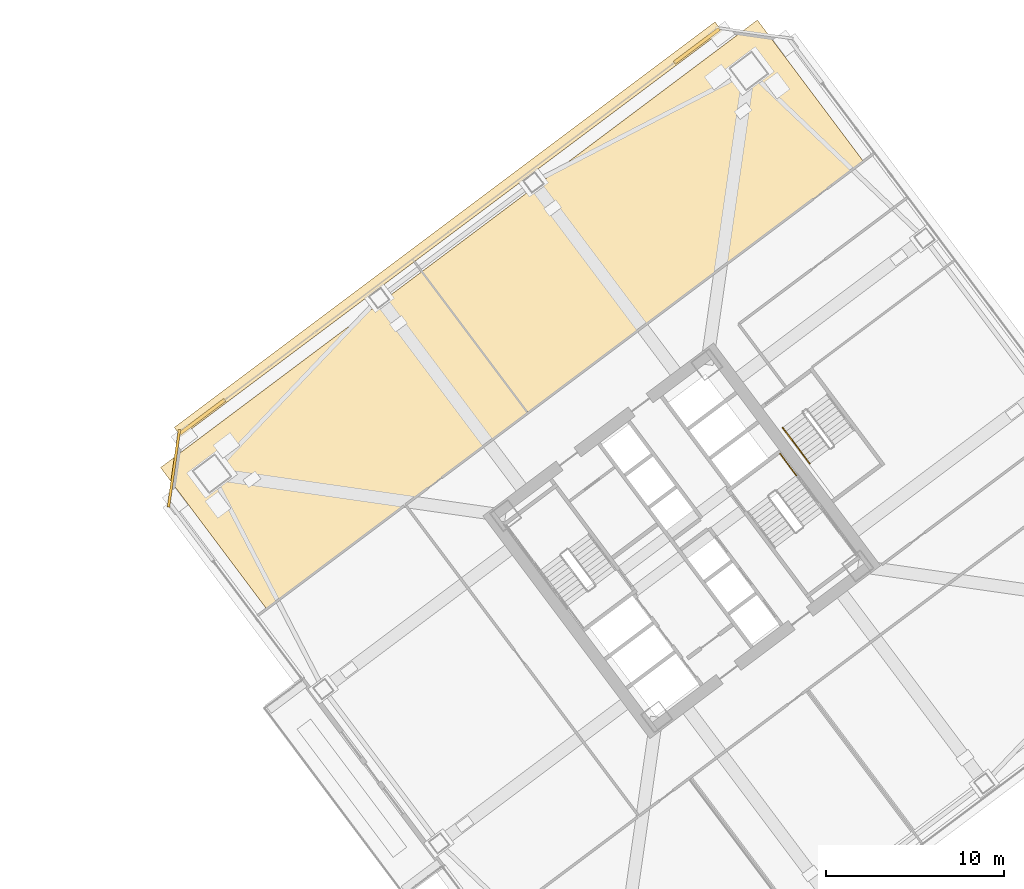
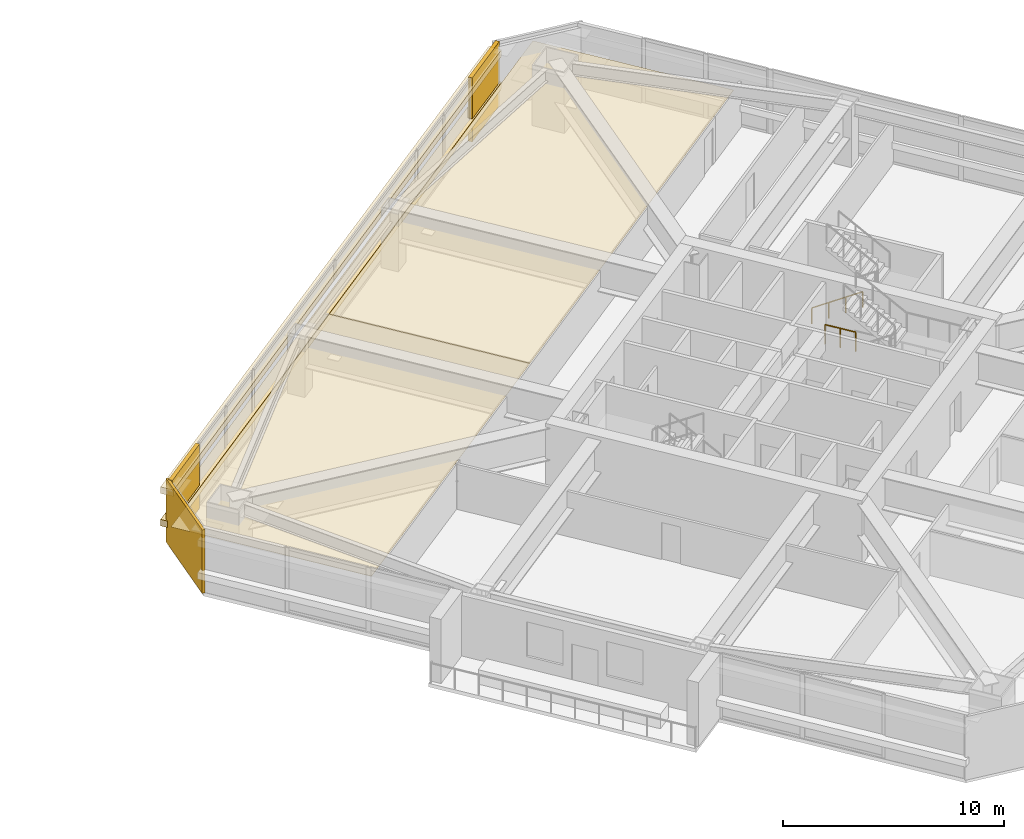
# One storey, part 47 of 48: 7 coverings, 2 railings.
"""IFC4 building model written with IfcOpenShell, lengths in metres."""

from ifc_helpers import new_model, si_unit, direction, frame, origin, origin_2d, place, context, subcontext, project, spatial, polyline, rectangle, outline, extrude, material, layer, layer_set, type_object, element, save


model = new_model("IFC4")

# Units and contexts
model_context = context("Model", 3, precision=1e-05, world=origin(), true_north=direction((0.0, 1.0)))
body_context = subcontext(model_context, "Body", "Model", "MODEL_VIEW")
ifc_project = project(units=[si_unit("LENGTHUNIT", "METRE"), si_unit("AREAUNIT", "SQUARE_METRE"), si_unit("VOLUMEUNIT", "CUBIC_METRE"), si_unit("PLANEANGLEUNIT", "RADIAN"), si_unit("MASSUNIT", "GRAM", prefix="KILO")], contexts=[model_context])

# Site, building, storey
site_placement = place(None, origin())
site = spatial("IfcSite", under=ifc_project, at=site_placement, CompositionType="ELEMENT")
building_placement = place(site_placement, origin())
building = spatial("IfcBuilding", under=site, at=building_placement, Name="Tashvorn Skyway Center", CompositionType="ELEMENT")
storey_placement = place(building_placement, frame((0.0, 0.0, 63.64990234375)))
storey = spatial("IfcBuildingStorey", under=building, at=storey_placement, Name="L16", CompositionType="ELEMENT", Elevation=63.64990234375)

# Coverings
ifc_material_1 = material(Name="Precast concrete C40/50", Category="concrete")
ifc_layer_1 = layer(ifc_material_1, 0.199951171875)
ifc_layer_set_1 = layer_set([ifc_layer_1], Name="Precast concrete C40/50")
covering_type_1 = type_object("IfcCoveringType", Name="COV-BRACE-CLAD", PredefinedType="CLADDING", material=ifc_layer_set_1)
for number, where, z_axis, x_axis, name in (
    (1, (87.146728515625, 38.9599609375, 0.0), (0.0, 0.0, 1.0), (0.799999996291, 0.600000004945, 0.0), "Tower 2 L16 North Unitised Curtain Wall Mega-Brace Cladding Band 1"),
    (2, (114.83740234375, 59.72802734375, 0.0), (0.0, 0.0, 1.0), (0.799999996291, 0.600000004945, 0.0), "Tower 2 L16 North Unitised Curtain Wall Mega-Brace Cladding Band 2"),
):
    element("IfcCovering", number, at=place(storey_placement, frame(where, z_axis=z_axis, x_axis=x_axis)), inside=storey, type_object=covering_type_1, Name=name, PredefinedType="CLADDING", context=body_context, shape_type="SweptSolid", body=[
        extrude(rectangle(XDim=3.146728515625, YDim=0.199951171875, at=origin_2d()), origin(), (0.0, 0.0, 1.0), 3.550048828125),
    ])
ifc_material_2 = material(Name="Mineral-fibre acoustic ceiling tile on suspended grid")
ifc_layer_2 = layer(ifc_material_2, 0.02001953125)
ifc_layer_set_2 = layer_set([ifc_layer_2], Name="Mineral-fibre acoustic ceiling tile on suspended grid")
covering_type_2 = type_object("IfcCoveringType", Name="COV-CEIL-20", PredefinedType="CEILING", material=ifc_layer_set_2)
covering_1_placement = place(storey_placement, frame((0.0, 0.0, 2.47314453125)))
element("IfcCovering", 3, at=covering_1_placement, inside=storey, type_object=covering_type_2, Name="Tower 2 L16 Open Plan Office Acoustic Ceiling", PredefinedType="CEILING", context=body_context, shape_type="SweptSolid", body=[
    extrude(outline(polyline([(90.739990234375, 28.179931640625), (105.3798828125, 39.159912109375), (99.43994140625, 47.080078125), (84.800048828125, 36.10009765625), (90.739990234375, 28.179931640625)])), origin(), (0.0, 0.0, 1.0), 0.02001953125),
])
covering_2_placement = place(storey_placement, frame((0.0, 0.0, 2.47314453125)))
element("IfcCovering", 4, at=covering_2_placement, inside=storey, type_object=covering_type_2, Name="Tower 2 L16 Open Plan Office Acoustic Ceiling", PredefinedType="CEILING", context=body_context, shape_type="SweptSolid", body=[
    extrude(outline(polyline([(105.3798828125, 39.159912109375), (124.179931640625, 53.260009765625), (118.239990234375, 61.179931640625), (99.43994140625, 47.080078125), (105.3798828125, 39.159912109375)])), origin(), (0.0, 0.0, 1.0), 0.02001953125),
])
ifc_material_3 = material(Name="Perforated ceramic-coated bronze aluminium solar screen", Category="aluminium")
ifc_layer_3 = layer(ifc_material_3, 0.85009765625)
ifc_layer_set_3 = layer_set([ifc_layer_3], Name="Perforated ceramic-coated bronze aluminium solar screen")
covering_type_3 = type_object("IfcCoveringType", Name="COV-SOLAR-BAND", PredefinedType="CLADDING", material=ifc_layer_set_3)
for number, where, z_axis, x_axis, name in (
    (5, (100.907958984375, 49.4560546875, 0.919921875), (0.0, 0.0, 1.0), (0.799999996291, 0.600000004945, 0.0), "L16 Perforated Ceramic-Metal Solar Screen Louvre Band North 1"),
    (6, (100.907958984375, 49.4560546875, 2.72021484375), (0.0, 0.0, 1.0), (0.799999996291, 0.600000004945, 0.0), "L16 Perforated Ceramic-Metal Solar Screen Louvre Band North 2"),
):
    element("IfcCovering", number, at=place(storey_placement, frame(where, z_axis=z_axis, x_axis=x_axis)), inside=storey, type_object=covering_type_3, Name=name, PredefinedType="CLADDING", context=body_context, shape_type="SweptSolid", body=[
        extrude(rectangle(XDim=37.8798828125, YDim=0.639892578125, at=origin_2d()), origin(), (0.0, 0.0, 1.0), 0.360107421875),
    ])
ifc_layer_4 = layer(ifc_material_1, 0.35009765625)
ifc_layer_set_4 = layer_set([ifc_layer_4], Name="Precast concrete C40/50")
covering_type_4 = type_object("IfcCoveringType", Name="COV-STONE-TRIM", PredefinedType="CLADDING", material=ifc_layer_set_4)
covering_3_placement = place(storey_placement, frame((85.552001953125, 36.06396484375, 0.02001953125), z_axis=(0.0, 0.0, 1.0), x_axis=(-0.141421350118, -0.989949494535, 0.0)))
element("IfcCovering", 7, at=covering_3_placement, inside=storey, type_object=covering_type_4, Name="Tower 2 L16 NW Mojave Limestone Corner Quoin", PredefinedType="CLADDING", context=body_context, shape_type="SweptSolid", body=[
    extrude(rectangle(XDim=4.402587890625, YDim=0.139892578125, at=origin_2d()), origin(), (0.0, 0.0, 1.0), 3.510009765625),
])

# Railings
ifc_material_4 = material(Name="Brushed stainless steel 316", Category="steel")
railing_type_1 = type_object("IfcRailingType", Name="RAIL-HAND-920", PredefinedType="HANDRAIL", material=ifc_material_4)
railing_1_placement = place(storey_placement, frame((119.656005859375, 38.342041015625, 0.177490234375)))
element("IfcRailing", 8, at=railing_1_placement, inside=storey, type_object=railing_type_1, Name="L16 ST-T2-3 stair handrail 1", PredefinedType="HANDRAIL", context=body_context, shape_type="SweptSolid", body=[
    extrude(rectangle(XDim=0.048095703125, YDim=0.048095703125, at=origin_2d()), frame((0.0, 0.0, 0.8759765625), z_axis=(0.506718600913, -0.675679348675, 0.535437836974), x_axis=(0.800023250257, 0.599968998406, 0.0)), (0.0, 0.0, 1.0), 2.98388671875),
    extrude(rectangle(XDim=0.0419921875, YDim=0.0419921875, at=origin_2d()), origin(), (0.0, 0.0, 1.0), 0.851806640625),
    extrude(rectangle(XDim=0.0419921875, YDim=0.0419921875, at=origin_2d()), frame((0.50390625, -0.672119140625, 0.532470703125)), (0.0, 0.0, 1.0), 0.851806640625),
    extrude(rectangle(XDim=0.0419921875, YDim=0.0419921875, at=origin_2d()), frame((1.008056640625, -1.343994140625, 1.065185546875)), (0.0, 0.0, 1.0), 0.851806640625),
    extrude(rectangle(XDim=0.0419921875, YDim=0.0419921875, at=origin_2d()), frame((1.511962890625, -2.01611328125, 1.59765625)), (0.0, 0.0, 1.0), 0.851806640625),
])
ifc_material_5 = material(Name="Painted galvanized steel S355", Category="steel")
railing_type_2 = type_object("IfcRailingType", Name="RAIL-STGUARD-1100", PredefinedType="GUARDRAIL", material=ifc_material_5)
railing_2_placement = place(storey_placement, frame((119.50390625, 36.8779296875, 0.0)))
element("IfcRailing", 9, at=railing_2_placement, inside=storey, type_object=railing_type_2, Name="L16 ST-T2-2 stair guard 6", PredefinedType="GUARDRAIL", context=body_context, shape_type="SweptSolid", body=[
    extrude(rectangle(XDim=0.048095703125, YDim=0.048095703125, at=origin_2d()), frame((0.0, 0.0, 1.076171875), z_axis=(0.600102796382, -0.799922892393, 0.0), x_axis=(0.799922892393, 0.600102796382, 0.0)), (0.0, 0.0, 1.0), 1.52001953125),
    extrude(rectangle(XDim=0.0419921875, YDim=0.0419921875, at=origin_2d()), origin(), (0.0, 0.0, 1.0), 1.052001953125),
    extrude(rectangle(XDim=0.0419921875, YDim=0.0419921875, at=origin_2d()), frame((0.4560546875, -0.60791015625, 0.0)), (0.0, 0.0, 1.0), 1.052001953125),
    extrude(rectangle(XDim=0.0419921875, YDim=0.0419921875, at=origin_2d()), frame((0.912109375, -1.2158203125, 0.0)), (0.0, 0.0, 1.0), 1.052001953125),
])

save(model, "model.ifc")
